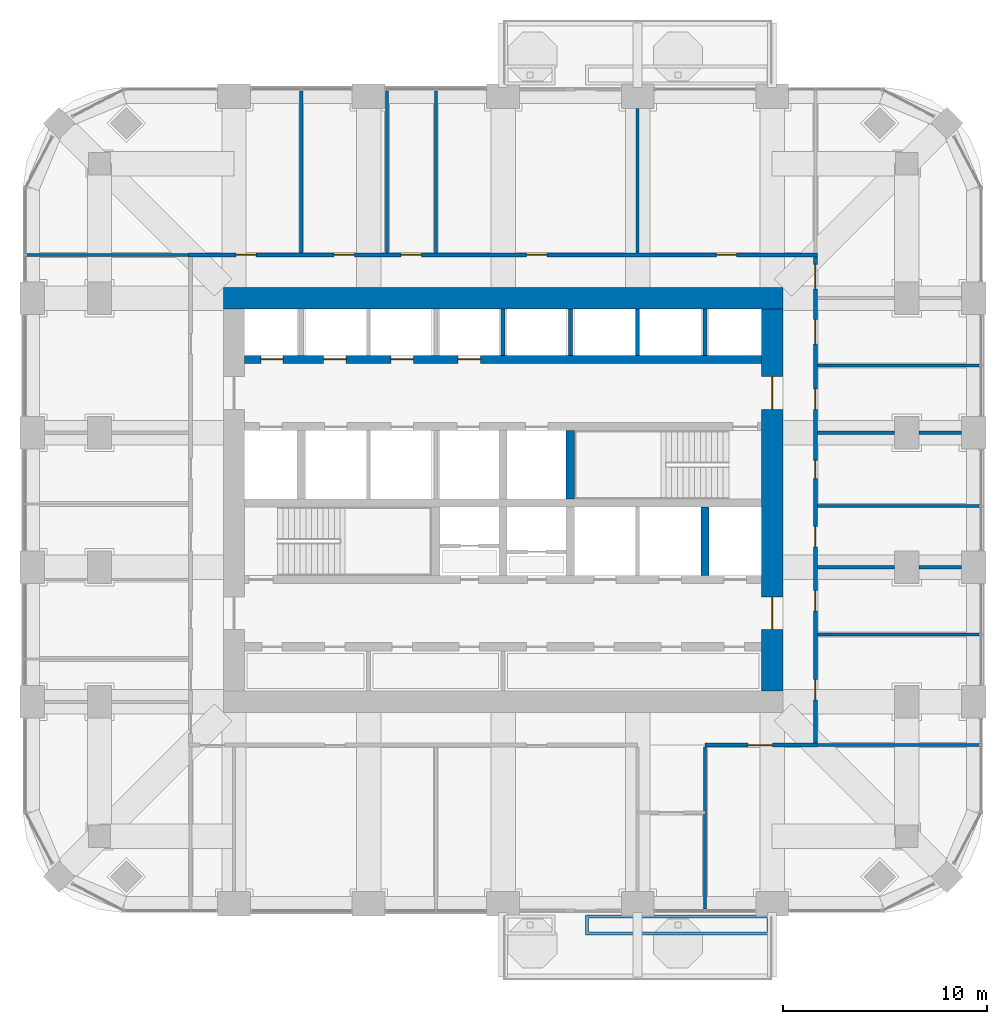
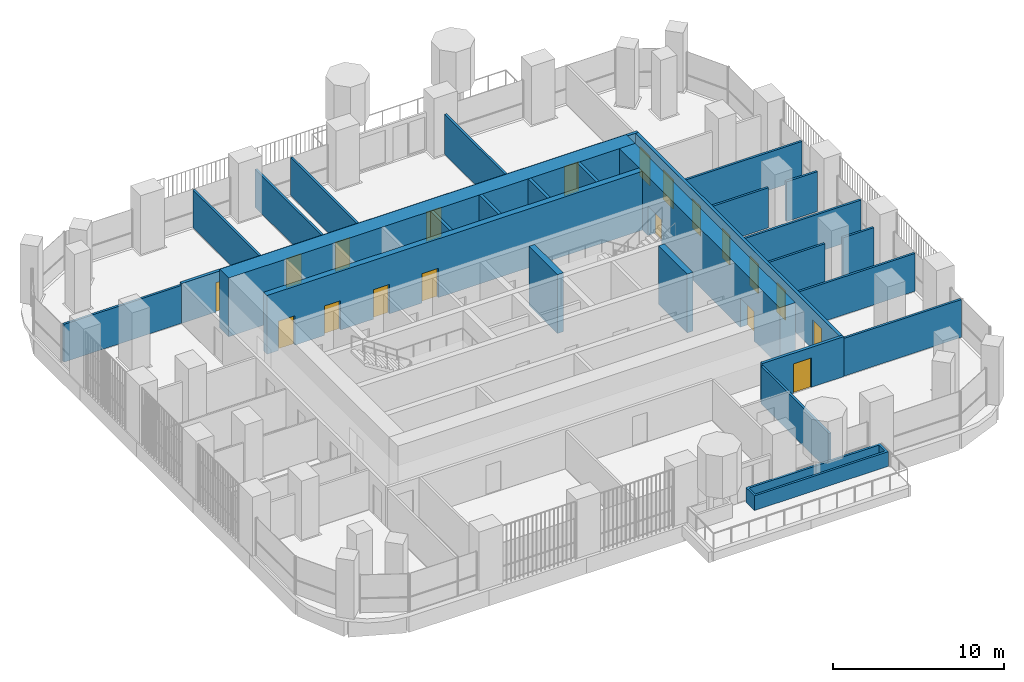
# One storey, part 15 of 20: 27 walls, 19 doors, 19 openings.
"""IFC4 building model written with IfcOpenShell, lengths in metres."""

from ifc_helpers import new_model, si_unit, direction, frame, frame_2d, origin, place, context, subcontext, project, spatial, polyline, rectangle, outline, extrude, material, layer, layer_set, type_object, element, fill, save


model = new_model("IFC4")

# Units and contexts
model_context = context("Model", 3, precision=1e-05, world=origin(), true_north=direction((0.0, 1.0)))
body_context = subcontext(model_context, "Body", "Model", "MODEL_VIEW")
ifc_project = project(units=[si_unit("LENGTHUNIT", "METRE"), si_unit("AREAUNIT", "SQUARE_METRE"), si_unit("VOLUMEUNIT", "CUBIC_METRE"), si_unit("PLANEANGLEUNIT", "RADIAN"), si_unit("MASSUNIT", "GRAM", prefix="KILO")], contexts=[model_context])

# Site, building, storey
site_placement = place(None, origin())
site = spatial("IfcSite", under=ifc_project, at=site_placement, CompositionType="ELEMENT")
building_placement = place(site_placement, origin())
building = spatial("IfcBuilding", under=site, at=building_placement, Name="Cobogo Forest Laboratory Tower", CompositionType="ELEMENT")
storey_placement = place(building_placement, frame((0.0, 0.0, 180.89990234375)))
storey = spatial("IfcBuildingStorey", under=building, at=storey_placement, Name="L41", CompositionType="ELEMENT", Elevation=180.89990234375)

# Wall, openings, doors
ifc_material_1 = material(Name="Concrete HA-50 (C50/60)", Category="concrete")
ifc_layer_1 = layer(ifc_material_1, 0.39990234375)
ifc_layer_set_1 = layer_set([ifc_layer_1], Name="CI400 core inner wall 400")
wall_type_1 = type_object("IfcWallType", Name="CI400 core inner wall 400", PredefinedType="SHEAR", material=ifc_layer_set_1)
wall_1_placement = place(storey_placement, frame((13.72509765625, 30.0, 0.0), z_axis=(0.0, 0.0, 1.0), x_axis=(1.0, 0.0, 0.0)))
wall_1 = element("IfcWall", 1, at=wall_1_placement, inside=storey, type_object=wall_type_1, Name="Core wall CI-30.0 L41", PredefinedType="SHEAR", context=body_context, shape_type="SweptSolid", body=[
    extrude(rectangle(XDim=25.349853515625, YDim=0.39990234375, at=frame_2d((12.6748046875, 0.0))), origin(), (0.0, 0.0, 1.0), 4.2001953125),
])
opening_1_placement = place(wall_1_placement, frame((0.78759765625, 0.0, 0.0)))
opening_1 = element("IfcOpeningElement", 2, at=opening_1_placement, cuts=wall_1, Name="Opening L41-LD-LC1", PredefinedType="OPENING", context=body_context, shape_type="SweptSolid", body=[
    extrude(rectangle(XDim=1.10009765625, YDim=2.10009765625, at=frame_2d((0.550048828125, 1.050048828125))), frame((0.0, 0.2099609375, 0.0), z_axis=(0.0, -1.0, 0.0), x_axis=(1.0, 0.0, 0.0)), (0.0, 0.0, 1.0), 0.419921875),
])
opening_2_placement = place(wall_1_placement, frame((3.875, 0.0, 0.0)))
opening_2 = element("IfcOpeningElement", 3, at=opening_2_placement, cuts=wall_1, Name="Opening L41-LD-LC2", PredefinedType="OPENING", context=body_context, shape_type="SweptSolid", body=[
    extrude(rectangle(XDim=1.10009765625, YDim=2.10009765625, at=frame_2d((0.550048828125, 1.050048828125))), frame((0.0, 0.2099609375, 0.0), z_axis=(0.0, -1.0, 0.0), x_axis=(1.0, 0.0, 0.0)), (0.0, 0.0, 1.0), 0.419921875),
])
opening_3_placement = place(wall_1_placement, frame((7.175048828125, 0.0, 0.0)))
opening_3 = element("IfcOpeningElement", 4, at=opening_3_placement, cuts=wall_1, Name="Opening L41-LD-LC3", PredefinedType="OPENING", context=body_context, shape_type="SweptSolid", body=[
    extrude(rectangle(XDim=1.10009765625, YDim=2.10009765625, at=frame_2d((0.550048828125, 1.050048828125))), frame((0.0, 0.2099609375, 0.0), z_axis=(0.0, -1.0, 0.0), x_axis=(1.0, 0.0, 0.0)), (0.0, 0.0, 1.0), 0.419921875),
])
opening_4_placement = place(wall_1_placement, frame((10.47509765625, 0.0, 0.0)))
opening_4 = element("IfcOpeningElement", 5, at=opening_4_placement, cuts=wall_1, Name="Opening L41-LD-LC4", PredefinedType="OPENING", context=body_context, shape_type="SweptSolid", body=[
    extrude(rectangle(XDim=1.10009765625, YDim=2.10009765625, at=frame_2d((0.550048828125, 1.050048828125))), frame((0.0, 0.2099609375, 0.0), z_axis=(0.0, -1.0, 0.0), x_axis=(1.0, 0.0, 0.0)), (0.0, 0.0, 1.0), 0.419921875),
])
ifc_material_2 = material(Name="Stainless steel lift door", Category="steel")
door_type_1 = type_object("IfcDoorType", Name="LD lift landing door 1100", OperationType="DOUBLE_DOOR_SLIDING", PredefinedType="DOOR", material=ifc_material_2)
door_1_placement = place(opening_1_placement, origin())
door_1 = element("IfcDoor", 6, at=door_1_placement, inside=storey, type_object=door_type_1, Name="Lift landing door LC1 L41", OperationType="DOUBLE_DOOR_SLIDING", OverallHeight=2.10009765625, OverallWidth=1.10009765625, PredefinedType="DOOR", context=body_context, shape_type="SweptSolid", body=[
    extrude(rectangle(XDim=1.10009765625, YDim=2.10009765625, at=frame_2d((0.550048828125, 1.050048828125))), frame((0.0, 0.02490234375, 0.0), z_axis=(0.0, -1.0, 0.0), x_axis=(1.0, 0.0, 0.0)), (0.0, 0.0, 1.0), 0.050048828125),
])
fill(opening_1, door_1)
door_2_placement = place(opening_2_placement, origin())
door_2 = element("IfcDoor", 7, at=door_2_placement, inside=storey, type_object=door_type_1, Name="Lift landing door LC2 L41", OperationType="DOUBLE_DOOR_SLIDING", OverallHeight=2.10009765625, OverallWidth=1.10009765625, PredefinedType="DOOR", context=body_context, shape_type="SweptSolid", body=[
    extrude(rectangle(XDim=1.10009765625, YDim=2.10009765625, at=frame_2d((0.550048828125, 1.050048828125))), frame((0.0, 0.02490234375, 0.0), z_axis=(0.0, -1.0, 0.0), x_axis=(1.0, 0.0, 0.0)), (0.0, 0.0, 1.0), 0.050048828125),
])
fill(opening_2, door_2)
door_3_placement = place(opening_3_placement, origin())
door_3 = element("IfcDoor", 8, at=door_3_placement, inside=storey, type_object=door_type_1, Name="Lift landing door LC3 L41", OperationType="DOUBLE_DOOR_SLIDING", OverallHeight=2.10009765625, OverallWidth=1.10009765625, PredefinedType="DOOR", context=body_context, shape_type="SweptSolid", body=[
    extrude(rectangle(XDim=1.10009765625, YDim=2.10009765625, at=frame_2d((0.550048828125, 1.050048828125))), frame((0.0, 0.02490234375, 0.0), z_axis=(0.0, -1.0, 0.0), x_axis=(1.0, 0.0, 0.0)), (0.0, 0.0, 1.0), 0.050048828125),
])
fill(opening_3, door_3)
door_4_placement = place(opening_4_placement, origin())
door_4 = element("IfcDoor", 9, at=door_4_placement, inside=storey, type_object=door_type_1, Name="Lift landing door LC4 L41", OperationType="DOUBLE_DOOR_SLIDING", OverallHeight=2.10009765625, OverallWidth=1.10009765625, PredefinedType="DOOR", context=body_context, shape_type="SweptSolid", body=[
    extrude(rectangle(XDim=1.10009765625, YDim=2.10009765625, at=frame_2d((0.550048828125, 1.050048828125))), frame((0.0, 0.02490234375, 0.0), z_axis=(0.0, -1.0, 0.0), x_axis=(1.0, 0.0, 0.0)), (0.0, 0.0, 1.0), 0.050048828125),
])
fill(opening_4, door_4)

# Walls
for number, where, z_axis, x_axis, name in (
    (10, (36.300048828125, 19.39990234375, 0.0), (0.0, 0.0, 1.0), (0.0, 1.0, 0.0), "Core wall CX-36.3 L41"),
    (11, (29.699951171875, 23.14990234375, 0.0), (0.0, 0.0, 1.0), (0.0, 1.0, 0.0), "Core wall CX-29.7N L41"),
):
    element("IfcWall", number, at=place(storey_placement, frame(where, z_axis=z_axis, x_axis=x_axis)), inside=storey, type_object=wall_type_1, Name=name, PredefinedType="SHEAR", context=body_context, shape_type="SweptSolid", body=[
        extrude(rectangle(XDim=3.35009765625, YDim=0.39990234375, at=frame_2d((1.675048828125, 0.0))), origin(), (0.0, 0.0, 1.0), 4.2001953125),
    ])

# Wall, openings, doors
ifc_layer_2 = layer(ifc_material_1, 1.050048828125)
ifc_layer_set_2 = layer_set([ifc_layer_2], Name="CW1050 core outer wall 1050")
wall_type_2 = type_object("IfcWallType", Name="CW1050 core outer wall 1050", PredefinedType="SHEAR", material=ifc_layer_set_2)
wall_2_placement = place(storey_placement, frame((39.60009765625, 13.72509765625, 0.0), z_axis=(0.0, 0.0, 1.0), x_axis=(0.0, 1.0, 0.0)))
wall_2 = element("IfcWall", 12, at=wall_2_placement, inside=storey, type_object=wall_type_2, Name="Core wall CO-E L41", PredefinedType="SHEAR", context=body_context, shape_type="SweptSolid", body=[
    extrude(rectangle(XDim=18.75, YDim=1.050048828125, at=frame_2d((9.375, 0.0))), origin(), (0.0, 0.0, 1.0), 4.2001953125),
])
opening_5_placement = place(wall_2_placement, frame((3.02490234375, 0.0, 0.0)))
opening_5 = element("IfcOpeningElement", 13, at=opening_5_placement, cuts=wall_2, Name="Opening L41-D20", PredefinedType="OPENING", context=body_context, shape_type="SweptSolid", body=[
    extrude(rectangle(XDim=1.60009765625, YDim=2.10009765625, at=frame_2d((0.800048828125, 1.050048828125))), frame((0.0, 0.534912109375, 0.0), z_axis=(0.0, -1.0, 0.0), x_axis=(1.0, 0.0, 0.0)), (0.0, 0.0, 1.0), 1.070068359375),
])
opening_6_placement = place(wall_2_placement, frame((13.824951171875, 0.0, 0.0)))
opening_6 = element("IfcOpeningElement", 14, at=opening_6_placement, cuts=wall_2, Name="Opening L41-D34", PredefinedType="OPENING", context=body_context, shape_type="SweptSolid", body=[
    extrude(rectangle(XDim=1.60009765625, YDim=2.10009765625, at=frame_2d((0.800048828125, 1.050048828125))), frame((0.0, 0.534912109375, 0.0), z_axis=(0.0, -1.0, 0.0), x_axis=(1.0, 0.0, 0.0)), (0.0, 0.0, 1.0), 1.070068359375),
])
ifc_material_3 = material(Name="Steel fire door", Category="steel")
door_type_2 = type_object("IfcDoorType", Name="DS2 protected lobby door pair 1600 EI2 60", OperationType="DOUBLE_DOOR_DOUBLE_SWING", PredefinedType="DOOR", material=ifc_material_3)
door_5_placement = place(opening_5_placement, origin())
door_5 = element("IfcDoor", 15, at=door_5_placement, inside=storey, type_object=door_type_2, Name="Door L41-CO-E-S", OperationType="DOUBLE_DOOR_DOUBLE_SWING", OverallHeight=2.10009765625, OverallWidth=1.60009765625, PredefinedType="DOOR", context=body_context, shape_type="SweptSolid", body=[
    extrude(rectangle(XDim=1.60009765625, YDim=2.10009765625, at=frame_2d((0.800048828125, 1.050048828125))), frame((0.0, 0.02490234375, 0.0), z_axis=(0.0, -1.0, 0.0), x_axis=(1.0, 0.0, 0.0)), (0.0, 0.0, 1.0), 0.050048828125),
])
fill(opening_5, door_5)
door_6_placement = place(opening_6_placement, origin())
door_6 = element("IfcDoor", 16, at=door_6_placement, inside=storey, type_object=door_type_2, Name="Door L41-CO-E-N", OperationType="DOUBLE_DOOR_DOUBLE_SWING", OverallHeight=2.10009765625, OverallWidth=1.60009765625, PredefinedType="DOOR", context=body_context, shape_type="SweptSolid", body=[
    extrude(rectangle(XDim=1.60009765625, YDim=2.10009765625, at=frame_2d((0.800048828125, 1.050048828125))), frame((0.0, 0.02490234375, 0.0), z_axis=(0.0, -1.0, 0.0), x_axis=(1.0, 0.0, 0.0)), (0.0, 0.0, 1.0), 0.050048828125),
])
fill(opening_6, door_6)

# Walls
wall_3_placement = place(storey_placement, frame((40.125, 33.0, 0.0), z_axis=(0.0, 0.0, 1.0), x_axis=(-1.0, 0.0, 0.0)))
element("IfcWall", 17, at=wall_3_placement, inside=storey, type_object=wall_type_2, Name="Core wall CO-N L41", PredefinedType="SHEAR", context=body_context, shape_type="SweptSolid", body=[
    extrude(rectangle(XDim=27.449951171875, YDim=1.050048828125, at=frame_2d((13.72509765625, 0.0))), origin(), (0.0, 0.0, 1.0), 4.2001953125),
])
ifc_material_4 = material(Name="Gypsum board on steel studs", Category="steel")
ifc_layer_3 = layer(ifc_material_4, 0.14990234375)
ifc_layer_set_3 = layer_set([ifc_layer_3], Name="PT1 laboratory partition 150")
wall_type_3 = type_object("IfcWallType", Name="PT1 laboratory partition 150", PredefinedType="PARTITIONING", material=ifc_layer_set_3)
for number, where, z_axis, x_axis, name in (
    (18, (49.77001953125, 11.074951171875, 0.0), (0.0, 0.0, 1.0), (-1.0, 0.0, 0.0), "Partition PW-SE L41"),
    (19, (3.030029296875, 35.125, 0.0), (0.0, 0.0, 1.0), (1.0, 0.0, 0.0), "Partition PW-NW L41"),
    (20, (36.300048828125, 3.030029296875, 0.0), (0.0, 0.0, 1.0), (0.0, 1.0, 0.0), "Partition CUT-S36.3-1 L41"),
    (21, (49.77001953125, 22.800048828125, 0.0), (0.0, 0.0, 1.0), (-1.0, 0.0, 0.0), "Partition SVC-E1-1 L41"),
):
    element("IfcWall", number, at=place(storey_placement, frame(where, z_axis=z_axis, x_axis=x_axis)), inside=storey, type_object=wall_type_3, Name=name, PredefinedType="PARTITIONING", context=body_context, shape_type="SweptSolid", body=[
        extrude(rectangle(XDim=7.945068359375, YDim=0.14990234375, at=frame_2d((3.97265625, 0.0))), origin(), (0.0, 0.0, 1.0), 2.7001953125),
    ])
wall_4_placement = place(storey_placement, frame((48.89990234375, 26.39990234375, 0.0), z_axis=(0.0, 0.0, 1.0), x_axis=(-1.0, 0.0, 0.0)))
element("IfcWall", 22, at=wall_4_placement, inside=storey, type_object=wall_type_3, Name="Partition SVC-E2-1 L41", PredefinedType="PARTITIONING", context=body_context, shape_type="SweptSolid", body=[
    extrude(rectangle(XDim=2.099853515625, YDim=0.14990234375, at=frame_2d((1.0498046875, 0.0))), origin(), (0.0, 0.0, 1.0), 2.85009765625),
])
wall_5_placement = place(storey_placement, frame((45.60009765625, 26.39990234375, 0.0), z_axis=(0.0, 0.0, 1.0), x_axis=(-1.0, 0.0, 0.0)))
element("IfcWall", 23, at=wall_5_placement, inside=storey, type_object=wall_type_3, Name="Partition SVC-E2-2 L41", PredefinedType="PARTITIONING", context=body_context, shape_type="SweptSolid", body=[
    extrude(rectangle(XDim=3.775146484375, YDim=0.14990234375, at=frame_2d((1.8876953125, 0.0))), origin(), (0.0, 0.0, 1.0), 2.85009765625),
])
wall_6_placement = place(storey_placement, frame((49.77001953125, 16.5, 0.0), z_axis=(0.0, 0.0, 1.0), x_axis=(-1.0, 0.0, 0.0)))
element("IfcWall", 24, at=wall_6_placement, inside=storey, type_object=wall_type_3, Name="Partition CUT-E16.5-1 L41", PredefinedType="PARTITIONING", context=body_context, shape_type="SweptSolid", body=[
    extrude(rectangle(XDim=7.945068359375, YDim=0.14990234375, at=frame_2d((3.97265625, 0.0))), origin(), (0.0, 0.0, 1.0), 2.7001953125),
])
wall_7_placement = place(storey_placement, frame((48.89990234375, 19.800048828125, 0.0), z_axis=(0.0, 0.0, 1.0), x_axis=(-1.0, 0.0, 0.0)))
element("IfcWall", 25, at=wall_7_placement, inside=storey, type_object=wall_type_3, Name="Partition CUT-E19.8-1 L41", PredefinedType="PARTITIONING", context=body_context, shape_type="SweptSolid", body=[
    extrude(rectangle(XDim=2.099853515625, YDim=0.14990234375, at=frame_2d((1.0498046875, 0.0))), origin(), (0.0, 0.0, 1.0), 2.85009765625),
])
wall_8_placement = place(storey_placement, frame((45.60009765625, 19.800048828125, 0.0), z_axis=(0.0, 0.0, 1.0), x_axis=(-1.0, 0.0, 0.0)))
element("IfcWall", 26, at=wall_8_placement, inside=storey, type_object=wall_type_3, Name="Partition CUT-E19.8-2 L41", PredefinedType="PARTITIONING", context=body_context, shape_type="SweptSolid", body=[
    extrude(rectangle(XDim=3.775146484375, YDim=0.14990234375, at=frame_2d((1.8876953125, 0.0))), origin(), (0.0, 0.0, 1.0), 2.85009765625),
])
wall_9_placement = place(storey_placement, frame((49.77001953125, 29.699951171875, 0.0), z_axis=(0.0, 0.0, 1.0), x_axis=(-1.0, 0.0, 0.0)))
element("IfcWall", 27, at=wall_9_placement, inside=storey, type_object=wall_type_3, Name="Partition CUT-E29.7-1 L41", PredefinedType="PARTITIONING", context=body_context, shape_type="SweptSolid", body=[
    extrude(rectangle(XDim=7.945068359375, YDim=0.14990234375, at=frame_2d((3.97265625, 0.0))), origin(), (0.0, 0.0, 1.0), 2.7001953125),
])
for number, where, z_axis, x_axis, name in (
    (28, (20.699951171875, 43.169921875, 0.0), (0.0, 0.0, 1.0), (0.0, -1.0, 0.0), "Partition SVC-N1-1 L41"),
    (29, (23.10009765625, 43.169921875, 0.0), (0.0, 0.0, 1.0), (0.0, -1.0, 0.0), "Partition SVC-N2-1 L41"),
    (30, (16.5, 43.169921875, 0.0), (0.0, 0.0, 1.0), (0.0, -1.0, 0.0), "Partition CUT-N16.5-1 L41"),
):
    element("IfcWall", number, at=place(storey_placement, frame(where, z_axis=z_axis, x_axis=x_axis)), inside=storey, type_object=wall_type_3, Name=name, PredefinedType="PARTITIONING", context=body_context, shape_type="SweptSolid", body=[
        extrude(rectangle(XDim=7.94482421875, YDim=0.14990234375, at=frame_2d((3.972412109375, 0.0))), origin(), (0.0, 0.0, 1.0), 2.7001953125),
    ])
wall_10_placement = place(storey_placement, frame((33.0, 42.300048828125, 0.0), z_axis=(0.0, 0.0, 1.0), x_axis=(0.0, -1.0, 0.0)))
element("IfcWall", 31, at=wall_10_placement, inside=storey, type_object=wall_type_3, Name="Partition CUT-N33-1 L41", PredefinedType="PARTITIONING", context=body_context, shape_type="SweptSolid", body=[
    extrude(rectangle(XDim=7.074951171875, YDim=0.14990234375, at=frame_2d((3.53759765625, 0.0))), origin(), (0.0, 0.0, 1.0), 2.85009765625),
])

# Wall, opening, door
ifc_layer_4 = layer(ifc_material_4, 0.199951171875)
ifc_layer_set_4 = layer_set([ifc_layer_4], Name="PT2 fire-rated corridor partition 200")
wall_type_4 = type_object("IfcWallType", Name="PT2 fire-rated corridor partition 200", PredefinedType="PARTITIONING", material=ifc_layer_set_4)
wall_11_placement = place(storey_placement, frame((36.300048828125, 11.074951171875, 0.0), z_axis=(0.0, 0.0, 1.0), x_axis=(1.0, 0.0, 0.0)))
wall_11 = element("IfcWall", 32, at=wall_11_placement, inside=storey, type_object=wall_type_4, Name="Partition CORR-S-2 L41", PredefinedType="PARTITIONING", context=body_context, shape_type="SweptSolid", body=[
    extrude(rectangle(XDim=5.52490234375, YDim=0.199951171875, at=frame_2d((2.762451171875, 0.0))), origin(), (0.0, 0.0, 1.0), 2.85009765625),
])
opening_7_placement = place(wall_11_placement, frame((2.112548828125, 0.0, 0.0)))
opening_7 = element("IfcOpeningElement", 33, at=opening_7_placement, cuts=wall_11, Name="Opening L41-D06", PredefinedType="OPENING", context=body_context, shape_type="SweptSolid", body=[
    extrude(rectangle(XDim=1.199951171875, YDim=2.10009765625, at=frame_2d((0.60009765625, 1.050048828125))), frame((0.0, 0.10986328125, 0.0), z_axis=(0.0, -1.0, 0.0), x_axis=(1.0, 0.0, 0.0)), (0.0, 0.0, 1.0), 0.219970703125),
])
ifc_material_5 = material(Name="Timber door", Category="wood")
door_type_3 = type_object("IfcDoorType", Name="D2 laboratory door 1200 unequal pair", OperationType="DOUBLE_DOOR_SINGLE_SWING", PredefinedType="DOOR", material=ifc_material_5)
door_7_placement = place(opening_7_placement, origin())
door_7 = element("IfcDoor", 34, at=door_7_placement, inside=storey, type_object=door_type_3, Name="Door L41-S5", OperationType="DOUBLE_DOOR_SINGLE_SWING", OverallHeight=2.10009765625, OverallWidth=1.199951171875, PredefinedType="DOOR", context=body_context, shape_type="SweptSolid", body=[
    extrude(rectangle(XDim=1.199951171875, YDim=2.10009765625, at=frame_2d((0.60009765625, 1.050048828125))), frame((0.0, 0.02490234375, 0.0), z_axis=(0.0, -1.0, 0.0), x_axis=(1.0, 0.0, 0.0)), (0.0, 0.0, 1.0), 0.050048828125),
])
fill(opening_7, door_7)

# Wall, openings, doors
wall_12_placement = place(storey_placement, frame((10.97509765625, 35.125, 0.0), z_axis=(0.0, 0.0, 1.0), x_axis=(1.0, 0.0, 0.0)))
wall_12 = element("IfcWall", 35, at=wall_12_placement, inside=storey, type_object=wall_type_4, Name="Partition CORR-N L41", PredefinedType="PARTITIONING", context=body_context, shape_type="SweptSolid", body=[
    extrude(rectangle(XDim=30.849853515625, YDim=0.199951171875, at=frame_2d((15.4248046875, 0.0))), origin(), (0.0, 0.0, 1.0), 2.85009765625),
])
opening_8_placement = place(wall_12_placement, frame((2.3125, 0.0, 0.0)))
opening_8 = element("IfcOpeningElement", 36, at=opening_8_placement, cuts=wall_12, Name="Opening L41-D38", PredefinedType="OPENING", context=body_context, shape_type="SweptSolid", body=[
    extrude(rectangle(XDim=1.0, YDim=2.10009765625, at=frame_2d((0.5, 1.050048828125))), frame((0.0, 0.10986328125, 0.0), z_axis=(0.0, -1.0, 0.0), x_axis=(1.0, 0.0, 0.0)), (0.0, 0.0, 1.0), 0.219970703125),
])
opening_9_placement = place(wall_12_placement, frame((7.125, 0.0, 0.0)))
opening_9 = element("IfcOpeningElement", 37, at=opening_9_placement, cuts=wall_12, Name="Opening L41-D39", PredefinedType="OPENING", context=body_context, shape_type="SweptSolid", body=[
    extrude(rectangle(XDim=1.0, YDim=2.10009765625, at=frame_2d((0.5, 1.050048828125))), frame((0.0, 0.10986328125, 0.0), z_axis=(0.0, -1.0, 0.0), x_axis=(1.0, 0.0, 0.0)), (0.0, 0.0, 1.0), 0.219970703125),
])
opening_10_placement = place(wall_12_placement, frame((10.425048828125, 0.0, 0.0)))
opening_10 = element("IfcOpeningElement", 38, at=opening_10_placement, cuts=wall_12, Name="Opening L41-D40", PredefinedType="OPENING", context=body_context, shape_type="SweptSolid", body=[
    extrude(rectangle(XDim=1.0, YDim=2.10009765625, at=frame_2d((0.5, 1.050048828125))), frame((0.0, 0.10986328125, 0.0), z_axis=(0.0, -1.0, 0.0), x_axis=(1.0, 0.0, 0.0)), (0.0, 0.0, 1.0), 0.219970703125),
])
opening_11_placement = place(wall_12_placement, frame((16.574951171875, 0.0, 0.0)))
opening_11 = element("IfcOpeningElement", 39, at=opening_11_placement, cuts=wall_12, Name="Opening L41-D41", PredefinedType="OPENING", context=body_context, shape_type="SweptSolid", body=[
    extrude(rectangle(XDim=1.0, YDim=2.10009765625, at=frame_2d((0.5, 1.050048828125))), frame((0.0, 0.10986328125, 0.0), z_axis=(0.0, -1.0, 0.0), x_axis=(1.0, 0.0, 0.0)), (0.0, 0.0, 1.0), 0.219970703125),
])
opening_12_placement = place(wall_12_placement, frame((25.887451171875, 0.0, 0.0)))
opening_12 = element("IfcOpeningElement", 40, at=opening_12_placement, cuts=wall_12, Name="Opening L41-D42", PredefinedType="OPENING", context=body_context, shape_type="SweptSolid", body=[
    extrude(rectangle(XDim=1.0, YDim=2.10009765625, at=frame_2d((0.5, 1.050048828125))), frame((0.0, 0.10986328125, 0.0), z_axis=(0.0, -1.0, 0.0), x_axis=(1.0, 0.0, 0.0)), (0.0, 0.0, 1.0), 0.219970703125),
])
ifc_material_6 = material(Name="Timber fire door", Category="wood")
door_type_4 = type_object("IfcDoorType", Name="FD2 fire door 1000 EI2 30", OperationType="SINGLE_SWING_LEFT", PredefinedType="DOOR", material=ifc_material_6)
door_8_placement = place(opening_8_placement, origin())
door_8 = element("IfcDoor", 41, at=door_8_placement, inside=storey, type_object=door_type_4, Name="Door L41-N1", OperationType="SINGLE_SWING_LEFT", OverallHeight=2.10009765625, OverallWidth=1.0, PredefinedType="DOOR", context=body_context, shape_type="SweptSolid", body=[
    extrude(rectangle(XDim=1.0, YDim=2.10009765625, at=frame_2d((0.5, 1.050048828125))), frame((0.0, 0.02490234375, 0.0), z_axis=(0.0, -1.0, 0.0), x_axis=(1.0, 0.0, 0.0)), (0.0, 0.0, 1.0), 0.050048828125),
])
fill(opening_8, door_8)
door_9_placement = place(opening_9_placement, origin())
door_9 = element("IfcDoor", 42, at=door_9_placement, inside=storey, type_object=door_type_4, Name="Door L41-MTG", OperationType="SINGLE_SWING_LEFT", OverallHeight=2.10009765625, OverallWidth=1.0, PredefinedType="DOOR", context=body_context, shape_type="SweptSolid", body=[
    extrude(rectangle(XDim=1.0, YDim=2.10009765625, at=frame_2d((0.5, 1.050048828125))), frame((0.0, 0.02490234375, 0.0), z_axis=(0.0, -1.0, 0.0), x_axis=(1.0, 0.0, 0.0)), (0.0, 0.0, 1.0), 0.050048828125),
])
fill(opening_9, door_9)
door_10_placement = place(opening_10_placement, origin())
door_10 = element("IfcDoor", 43, at=door_10_placement, inside=storey, type_object=door_type_4, Name="Door L41-PAN", OperationType="SINGLE_SWING_LEFT", OverallHeight=2.10009765625, OverallWidth=1.0, PredefinedType="DOOR", context=body_context, shape_type="SweptSolid", body=[
    extrude(rectangle(XDim=1.0, YDim=2.10009765625, at=frame_2d((0.5, 1.050048828125))), frame((0.0, 0.02490234375, 0.0), z_axis=(0.0, -1.0, 0.0), x_axis=(1.0, 0.0, 0.0)), (0.0, 0.0, 1.0), 0.050048828125),
])
fill(opening_10, door_10)
door_11_placement = place(opening_11_placement, origin())
door_11 = element("IfcDoor", 44, at=door_11_placement, inside=storey, type_object=door_type_4, Name="Door L41-N2", OperationType="SINGLE_SWING_RIGHT", OverallHeight=2.10009765625, OverallWidth=1.0, PredefinedType="DOOR", context=body_context, shape_type="SweptSolid", body=[
    extrude(rectangle(XDim=1.0, YDim=2.10009765625, at=frame_2d((0.5, 1.050048828125))), frame((0.0, 0.02490234375, 0.0), z_axis=(0.0, -1.0, 0.0), x_axis=(1.0, 0.0, 0.0)), (0.0, 0.0, 1.0), 0.050048828125),
])
fill(opening_11, door_11)
door_12_placement = place(opening_12_placement, origin())
door_12 = element("IfcDoor", 45, at=door_12_placement, inside=storey, type_object=door_type_4, Name="Door L41-N3", OperationType="SINGLE_SWING_RIGHT", OverallHeight=2.10009765625, OverallWidth=1.0, PredefinedType="DOOR", context=body_context, shape_type="SweptSolid", body=[
    extrude(rectangle(XDim=1.0, YDim=2.10009765625, at=frame_2d((0.5, 1.050048828125))), frame((0.0, 0.02490234375, 0.0), z_axis=(0.0, -1.0, 0.0), x_axis=(1.0, 0.0, 0.0)), (0.0, 0.0, 1.0), 0.050048828125),
])
fill(opening_12, door_12)

wall_13_placement = place(storey_placement, frame((41.72509765625, 11.175048828125, 0.0), z_axis=(0.0, 0.0, 1.0), x_axis=(0.0, 1.0, 0.0)))
wall_13 = element("IfcWall", 46, at=wall_13_placement, inside=storey, type_object=wall_type_4, Name="Partition CORR-E L41", PredefinedType="PARTITIONING", context=body_context, shape_type="SweptSolid", body=[
    extrude(rectangle(XDim=23.849853515625, YDim=0.199951171875, at=frame_2d((11.9248046875, 0.0))), origin(), (0.0, 0.0, 1.0), 2.85009765625),
])
opening_13_placement = place(wall_13_placement, frame((2.112548828125, 0.0, 0.0)))
opening_13 = element("IfcOpeningElement", 47, at=opening_13_placement, cuts=wall_13, Name="Opening L41-D08", PredefinedType="OPENING", context=body_context, shape_type="SweptSolid", body=[
    extrude(rectangle(XDim=1.0, YDim=2.10009765625, at=frame_2d((0.5, 1.050048828125))), frame((0.0, 0.10986328125, 0.0), z_axis=(0.0, -1.0, 0.0), x_axis=(1.0, 0.0, 0.0)), (0.0, 0.0, 1.0), 0.219970703125),
])
opening_14_placement = place(wall_13_placement, frame((6.47509765625, 0.0, 0.0)))
opening_14 = element("IfcOpeningElement", 48, at=opening_14_placement, cuts=wall_13, Name="Opening L41-D21", PredefinedType="OPENING", context=body_context, shape_type="SweptSolid", body=[
    extrude(rectangle(XDim=1.0, YDim=2.10009765625, at=frame_2d((0.5, 1.050048828125))), frame((0.0, 0.10986328125, 0.0), z_axis=(0.0, -1.0, 0.0), x_axis=(1.0, 0.0, 0.0)), (0.0, 0.0, 1.0), 0.219970703125),
])
opening_15_placement = place(wall_13_placement, frame((9.625, 0.0, 0.0)))
opening_15 = element("IfcOpeningElement", 49, at=opening_15_placement, cuts=wall_13, Name="Opening L41-D28", PredefinedType="OPENING", context=body_context, shape_type="SweptSolid", body=[
    extrude(rectangle(XDim=1.0, YDim=2.10009765625, at=frame_2d((0.5, 1.050048828125))), frame((0.0, 0.10986328125, 0.0), z_axis=(0.0, -1.0, 0.0), x_axis=(1.0, 0.0, 0.0)), (0.0, 0.0, 1.0), 0.219970703125),
])
opening_16_placement = place(wall_13_placement, frame((12.97509765625, 0.0, 0.0)))
opening_16 = element("IfcOpeningElement", 50, at=opening_16_placement, cuts=wall_13, Name="Opening L41-D29", PredefinedType="OPENING", context=body_context, shape_type="SweptSolid", body=[
    extrude(rectangle(XDim=0.89990234375, YDim=2.10009765625, at=frame_2d((0.449951171875, 1.050048828125))), frame((0.0, 0.10986328125, 0.0), z_axis=(0.0, -1.0, 0.0), x_axis=(1.0, 0.0, 0.0)), (0.0, 0.0, 1.0), 0.219970703125),
])
opening_17_placement = place(wall_13_placement, frame((16.375, 0.0, 0.0)))
opening_17 = element("IfcOpeningElement", 51, at=opening_17_placement, cuts=wall_13, Name="Opening L41-D32", PredefinedType="OPENING", context=body_context, shape_type="SweptSolid", body=[
    extrude(rectangle(XDim=1.0, YDim=2.10009765625, at=frame_2d((0.5, 1.050048828125))), frame((0.0, 0.10986328125, 0.0), z_axis=(0.0, -1.0, 0.0), x_axis=(1.0, 0.0, 0.0)), (0.0, 0.0, 1.0), 0.219970703125),
])
opening_18_placement = place(wall_13_placement, frame((19.574951171875, 0.0, 0.0)))
opening_18 = element("IfcOpeningElement", 52, at=opening_18_placement, cuts=wall_13, Name="Opening L41-D36", PredefinedType="OPENING", context=body_context, shape_type="SweptSolid", body=[
    extrude(rectangle(XDim=1.199951171875, YDim=2.10009765625, at=frame_2d((0.60009765625, 1.050048828125))), frame((0.0, 0.10986328125, 0.0), z_axis=(0.0, -1.0, 0.0), x_axis=(1.0, 0.0, 0.0)), (0.0, 0.0, 1.0), 0.219970703125),
])
opening_19_placement = place(wall_13_placement, frame((22.28759765625, 0.0, 0.0)))
opening_19 = element("IfcOpeningElement", 53, at=opening_19_placement, cuts=wall_13, Name="Opening L41-D37", PredefinedType="OPENING", context=body_context, shape_type="SweptSolid", body=[
    extrude(rectangle(XDim=1.199951171875, YDim=2.10009765625, at=frame_2d((0.60009765625, 1.050048828125))), frame((0.0, 0.10986328125, 0.0), z_axis=(0.0, -1.0, 0.0), x_axis=(1.0, 0.0, 0.0)), (0.0, 0.0, 1.0), 0.219970703125),
])
door_13_placement = place(opening_18_placement, origin())
door_13 = element("IfcDoor", 54, at=door_13_placement, inside=storey, type_object=door_type_3, Name="Door L41-E4", OperationType="DOUBLE_DOOR_SINGLE_SWING", OverallHeight=2.10009765625, OverallWidth=1.199951171875, PredefinedType="DOOR", context=body_context, shape_type="SweptSolid", body=[
    extrude(rectangle(XDim=1.199951171875, YDim=2.10009765625, at=frame_2d((0.60009765625, 1.050048828125))), frame((0.0, 0.02490234375, 0.0), z_axis=(0.0, -1.0, 0.0), x_axis=(1.0, 0.0, 0.0)), (0.0, 0.0, 1.0), 0.050048828125),
])
fill(opening_18, door_13)
door_14_placement = place(opening_19_placement, origin())
door_14 = element("IfcDoor", 55, at=door_14_placement, inside=storey, type_object=door_type_3, Name="Door L41-E5", OperationType="DOUBLE_DOOR_SINGLE_SWING", OverallHeight=2.10009765625, OverallWidth=1.199951171875, PredefinedType="DOOR", context=body_context, shape_type="SweptSolid", body=[
    extrude(rectangle(XDim=1.199951171875, YDim=2.10009765625, at=frame_2d((0.60009765625, 1.050048828125))), frame((0.0, 0.02490234375, 0.0), z_axis=(0.0, -1.0, 0.0), x_axis=(1.0, 0.0, 0.0)), (0.0, 0.0, 1.0), 0.050048828125),
])
fill(opening_19, door_14)
door_type_5 = type_object("IfcDoorType", Name="FD1 fire door 1000 EI2 60", OperationType="SINGLE_SWING_LEFT", PredefinedType="DOOR", material=ifc_material_3)
door_15_placement = place(opening_15_placement, origin())
door_15 = element("IfcDoor", 56, at=door_15_placement, inside=storey, type_object=door_type_5, Name="Door L41-ELEC", OperationType="SINGLE_SWING_LEFT", OverallHeight=2.10009765625, OverallWidth=1.0, PredefinedType="DOOR", context=body_context, shape_type="SweptSolid", body=[
    extrude(rectangle(XDim=1.0, YDim=2.10009765625, at=frame_2d((0.5, 1.050048828125))), frame((0.0, 0.02490234375, 0.0), z_axis=(0.0, -1.0, 0.0), x_axis=(1.0, 0.0, 0.0)), (0.0, 0.0, 1.0), 0.050048828125),
])
fill(opening_15, door_15)
door_16_placement = place(opening_13_placement, origin())
door_16 = element("IfcDoor", 57, at=door_16_placement, inside=storey, type_object=door_type_4, Name="Door L41-E1", OperationType="SINGLE_SWING_LEFT", OverallHeight=2.10009765625, OverallWidth=1.0, PredefinedType="DOOR", context=body_context, shape_type="SweptSolid", body=[
    extrude(rectangle(XDim=1.0, YDim=2.10009765625, at=frame_2d((0.5, 1.050048828125))), frame((0.0, 0.02490234375, 0.0), z_axis=(0.0, -1.0, 0.0), x_axis=(1.0, 0.0, 0.0)), (0.0, 0.0, 1.0), 0.050048828125),
])
fill(opening_13, door_16)
door_17_placement = place(opening_14_placement, origin())
door_17 = element("IfcDoor", 58, at=door_17_placement, inside=storey, type_object=door_type_4, Name="Door L41-E2", OperationType="SINGLE_SWING_LEFT", OverallHeight=2.10009765625, OverallWidth=1.0, PredefinedType="DOOR", context=body_context, shape_type="SweptSolid", body=[
    extrude(rectangle(XDim=1.0, YDim=2.10009765625, at=frame_2d((0.5, 1.050048828125))), frame((0.0, 0.02490234375, 0.0), z_axis=(0.0, -1.0, 0.0), x_axis=(1.0, 0.0, 0.0)), (0.0, 0.0, 1.0), 0.050048828125),
])
fill(opening_14, door_17)
door_18_placement = place(opening_17_placement, origin())
door_18 = element("IfcDoor", 59, at=door_18_placement, inside=storey, type_object=door_type_4, Name="Door L41-E3", OperationType="SINGLE_SWING_RIGHT", OverallHeight=2.10009765625, OverallWidth=1.0, PredefinedType="DOOR", context=body_context, shape_type="SweptSolid", body=[
    extrude(rectangle(XDim=1.0, YDim=2.10009765625, at=frame_2d((0.5, 1.050048828125))), frame((0.0, 0.02490234375, 0.0), z_axis=(0.0, -1.0, 0.0), x_axis=(1.0, 0.0, 0.0)), (0.0, 0.0, 1.0), 0.050048828125),
])
fill(opening_17, door_18)
door_type_6 = type_object("IfcDoorType", Name="FD4 riser access door 900 EI2 60", OperationType="SINGLE_SWING_LEFT", PredefinedType="DOOR", material=ifc_material_3)
door_19_placement = place(opening_16_placement, origin())
door_19 = element("IfcDoor", 60, at=door_19_placement, inside=storey, type_object=door_type_6, Name="Door L41-COMMS", OperationType="SINGLE_SWING_RIGHT", OverallHeight=2.10009765625, OverallWidth=0.89990234375, PredefinedType="DOOR", context=body_context, shape_type="SweptSolid", body=[
    extrude(rectangle(XDim=0.89990234375, YDim=2.10009765625, at=frame_2d((0.449951171875, 1.050048828125))), frame((0.0, 0.02490234375, 0.0), z_axis=(0.0, -1.0, 0.0), x_axis=(1.0, 0.0, 0.0)), (0.0, 0.0, 1.0), 0.050048828125),
])
fill(opening_16, door_19)

# Walls
ifc_material_7 = material(Name="Concrete HA-40 (C40/50)", Category="concrete")
ifc_layer_5 = layer(ifc_material_7, 0.14990234375)
ifc_layer_set_5 = layer_set([ifc_layer_5], Name="Planter box 1000x1050")
wall_type_5 = type_object("IfcWallType", Name="Planter box 1000x1050", PredefinedType="USERDEFINED", material=ifc_layer_set_5)
wall_14_placement = place(storey_placement, origin())
element("IfcWall", 61, at=wall_14_placement, inside=storey, type_object=wall_type_5, Name="Planter BAL-S1-2 L41", ObjectType="PLANTER", PredefinedType="USERDEFINED", context=body_context, shape_type="SweptSolid", body=[
    extrude(outline(polyline([(30.449951171875, 1.75), (39.5, 1.75), (39.5, 2.75), (30.449951171875, 2.75), (30.449951171875, 1.75)]), holes=[polyline([(30.60009765625, 1.89990234375), (39.35009765625, 1.89990234375), (39.35009765625, 2.60009765625), (30.60009765625, 2.60009765625), (30.60009765625, 1.89990234375)])]), origin(), (0.0, 0.0, 1.0), 1.050048828125),
])
ifc_material_8 = material(Name="Concrete block", Category="concrete")
ifc_layer_6 = layer(ifc_material_8, 0.199951171875)
ifc_layer_set_6 = layer_set([ifc_layer_6], Name="SW200 lift shaft separator 200")
wall_type_6 = type_object("IfcWallType", Name="SW200 lift shaft separator 200", PredefinedType="PARTITIONING", material=ifc_layer_set_6)
for number, where, z_axis, x_axis, name in (
    (62, (26.39990234375, 30.199951171875, 0.0), (0.0, 0.0, 1.0), (0.0, 1.0, 0.0), "Core wall SEP-N4 L41"),
    (63, (29.699951171875, 30.199951171875, 0.0), (0.0, 0.0, 1.0), (0.0, 1.0, 0.0), "Core wall SEP-N5 L41"),
    (64, (33.0, 30.199951171875, 0.0), (0.0, 0.0, 1.0), (0.0, 1.0, 0.0), "Core wall SEP-N6 L41"),
    (65, (36.300048828125, 30.199951171875, 0.0), (0.0, 0.0, 1.0), (0.0, 1.0, 0.0), "Core wall SEP-N7 L41"),
):
    element("IfcWall", number, at=place(storey_placement, frame(where, z_axis=z_axis, x_axis=x_axis)), inside=storey, type_object=wall_type_6, Name=name, PredefinedType="PARTITIONING", context=body_context, shape_type="SweptSolid", body=[
        extrude(rectangle(XDim=2.275146484375, YDim=0.199951171875, at=frame_2d((1.1376953125, 0.0))), origin(), (0.0, 0.0, 1.0), 4.2001953125),
    ])

save(model, "model.ifc")
